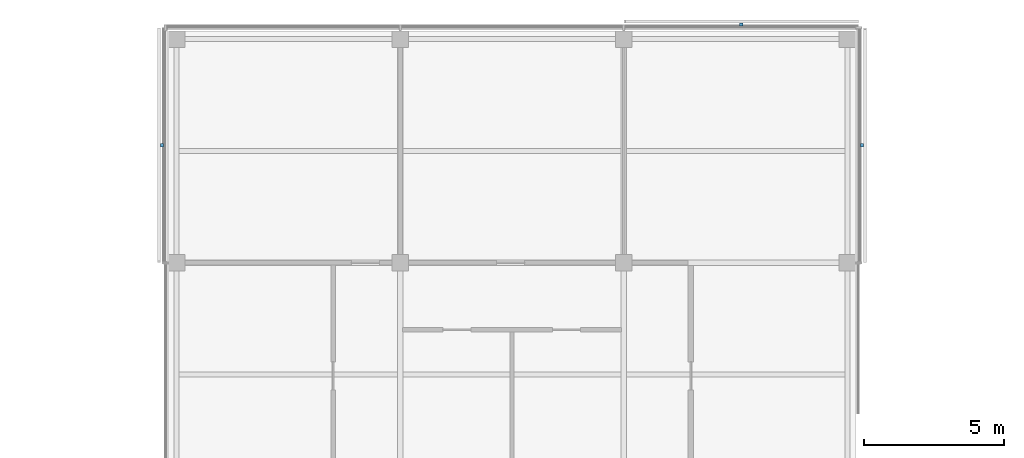
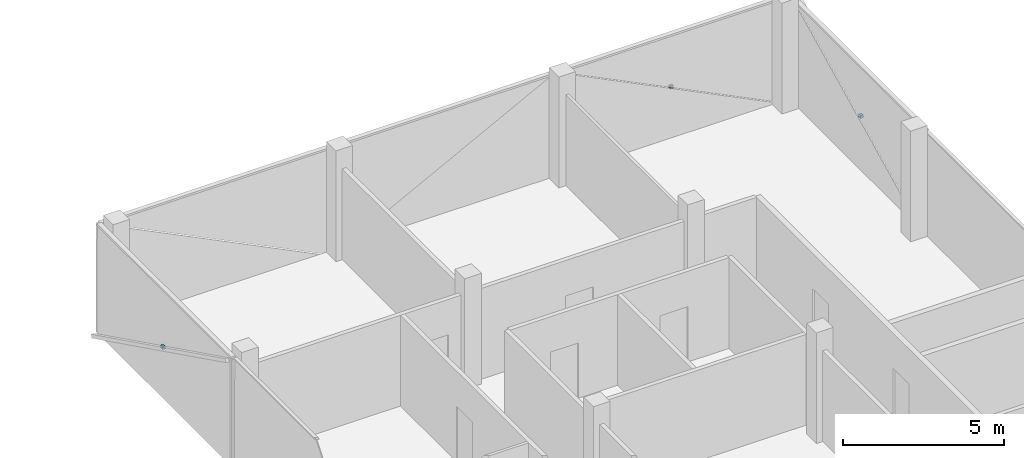
# One storey, part 15 of 16: 3 discrete accessories.
"""IFC4 building model written with IfcOpenShell, lengths in metres."""

from ifc_helpers import new_model, si_unit, direction, frame, origin, origin_2d, place, context, subcontext, project, spatial, rectangle, extrude, material, type_object, element, save


model = new_model("IFC4")

# Units and contexts
model_context = context("Model", 3, precision=1e-05, world=origin(), true_north=direction((0.0, 1.0)))
body_context = subcontext(model_context, "Body", "Model", "MODEL_VIEW")
ifc_project = project(units=[si_unit("LENGTHUNIT", "METRE"), si_unit("AREAUNIT", "SQUARE_METRE"), si_unit("VOLUMEUNIT", "CUBIC_METRE"), si_unit("PLANEANGLEUNIT", "RADIAN"), si_unit("MASSUNIT", "GRAM", prefix="KILO")], contexts=[model_context])

# Site, building, storey
site_placement = place(None, origin())
site = spatial("IfcSite", under=ifc_project, at=site_placement, CompositionType="ELEMENT")
building_placement = place(site_placement, origin())
building = spatial("IfcBuilding", under=site, at=building_placement, Name="Crosswind Convention Tower", CompositionType="ELEMENT")
storey_placement = place(building_placement, frame((0.0, 0.0, 340.699951171875)))
storey = spatial("IfcBuildingStorey", under=building, at=storey_placement, Name="L74", CompositionType="ELEMENT", Elevation=340.699951171875)

# Discrete accessories
ifc_material = material(Name="Stainless steel", Category="steel")
discrete_accessory_type = type_object("IfcDiscreteAccessoryType", Name="BAGUETTE BRACKET BK3", PredefinedType="BRACKET", material=ifc_material)
for number, where, z_axis, x_axis, name in (
    (1, (137.52587890625, 124.205078125, 1.705078125), (0.0, 0.0, 1.0), (0.0, 1.0, 0.0), "BK3 baguette bracket"),
    (2, (133.205078125, 128.52587890625, 1.705078125), (0.0, 0.0, 1.0), (-1.0, 0.0, 0.0), "BK3 baguette bracket"),
    (3, (112.47412109375, 124.205078125, 1.705078125), (0.0, 0.0, 1.0), (0.0, -1.0, 0.0), "BK3 baguette bracket"),
):
    element("IfcDiscreteAccessory", number, at=place(storey_placement, frame(where, z_axis=z_axis, x_axis=x_axis)), inside=storey, type_object=discrete_accessory_type, Name=name, PredefinedType="BRACKET", context=body_context, shape_type="SweptSolid", body=[
        extrude(rectangle(XDim=0.1201171875, YDim=0.10009765625, at=origin_2d()), origin(), (0.0, 0.0, 1.0), 0.1201171875),
    ])

save(model, "model.ifc")
